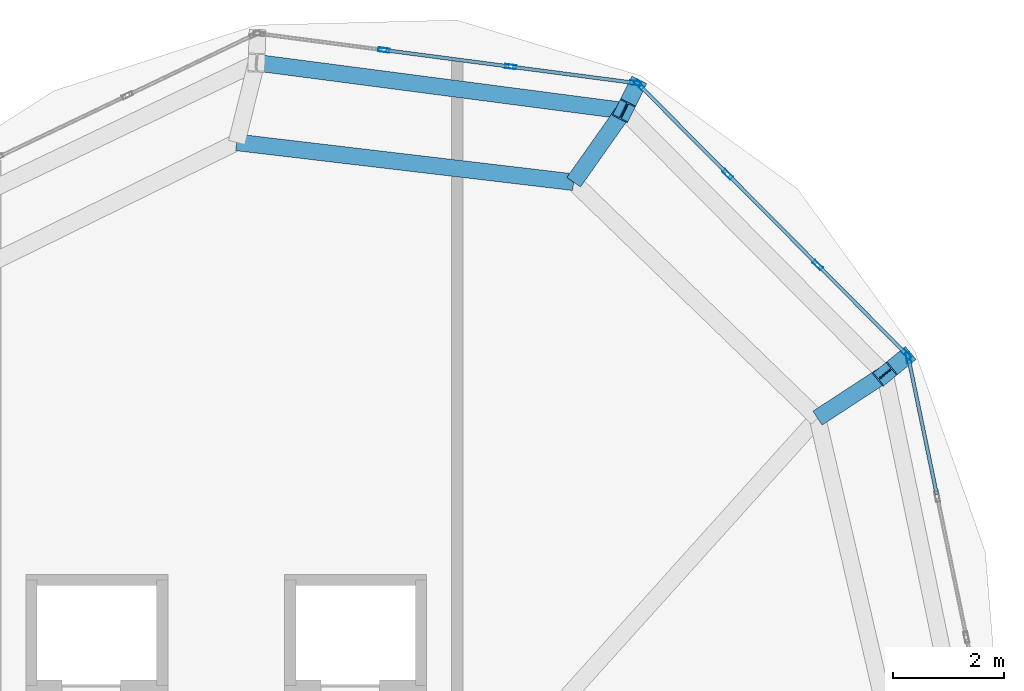
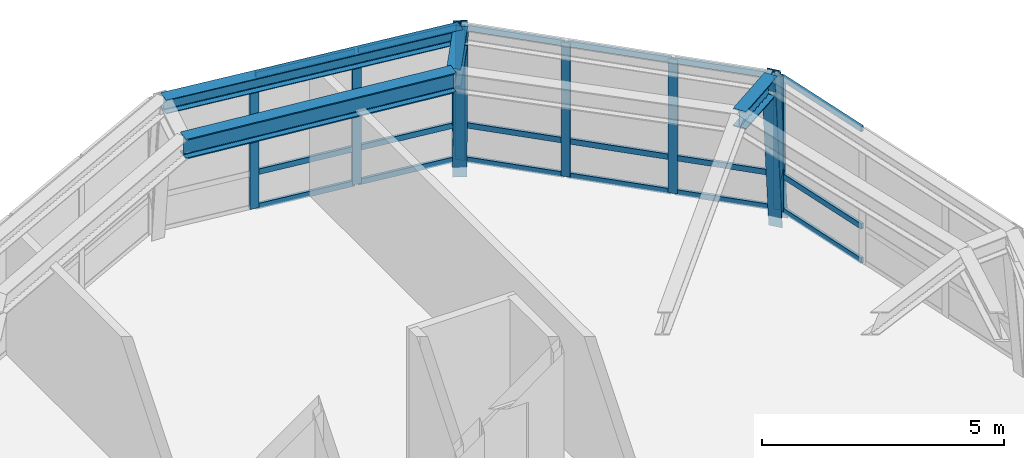
# One storey, part 8 of 11: 28 members, 4 beams, 3 elements without a shape of their own.
"""IFC4 building model written with IfcOpenShell, lengths in metres."""

from ifc_helpers import new_model, si_unit, direction, frame, origin, origin_2d, place, context, subcontext, project, spatial, hollow_rectangle, i_section, extrude, material, layer, layer_set, material_profile, profile_set, type_object, element, aggregate, save


model = new_model("IFC4")

# Units and contexts
model_context = context("Model", 3, precision=1e-05, world=origin(), true_north=direction((0.0, 1.0)))
body_context = subcontext(model_context, "Body", "Model", "MODEL_VIEW")
ifc_project = project(units=[si_unit("LENGTHUNIT", "METRE"), si_unit("AREAUNIT", "SQUARE_METRE"), si_unit("VOLUMEUNIT", "CUBIC_METRE"), si_unit("PLANEANGLEUNIT", "RADIAN"), si_unit("MASSUNIT", "GRAM", prefix="KILO"), si_unit("THERMODYNAMICTEMPERATUREUNIT", "KELVIN"), si_unit("POWERUNIT", "WATT")], contexts=[model_context])

# Site, building, storey
site_placement = place(None, origin())
site = spatial("IfcSite", under=ifc_project, at=site_placement, CompositionType="ELEMENT")
building_placement = place(site_placement, origin())
building = spatial("IfcBuilding", under=site, at=building_placement, Name="Ocrelia Relay Tower", CompositionType="ELEMENT")
storey_placement = place(building_placement, frame((0.0, 0.0, 292.0)))
storey = spatial("IfcBuildingStorey", under=building, at=storey_placement, Name="L73", CompositionType="ELEMENT", Elevation=292.0)

# Beams
ifc_material_1 = material(Name="Steel S355", Category="steel")
ifc_material_profile_1 = material_profile(ifc_material_1, i_section(OverallWidth=0.300048828125, OverallDepth=0.35009765625, WebThickness=0.010009765625, FlangeThickness=0.017578125, FilletRadius=0.027099609375, at=origin_2d()), Name="HEA 360")
ifc_profile_set_1 = profile_set([ifc_material_profile_1], Name="Steel S355")
beam_type_1 = type_object("IfcBeamType", Name="BM-HEA360", PredefinedType="SPANDREL", material=ifc_profile_set_1)
beam_1_placement = place(storey_placement, frame((41.14599609375, 40.42724609375, 3.574951171875), z_axis=(-0.991560907622, 0.129641684946, 0.0), x_axis=(-0.129641684946, -0.991560907622, 0.0)))
element("IfcBeam", 1, at=beam_1_placement, inside=storey, type_object=beam_type_1, Name="L73 Crown Faceted Ring Beam R01", PredefinedType="SPANDREL", context=body_context, shape_type="SweptSolid", body=[
    extrude(i_section(OverallWidth=0.300048828125, OverallDepth=0.35009765625, WebThickness=0.010009765625, FlangeThickness=0.017578125, FilletRadius=0.027099609375, at=origin_2d()), origin(), (0.0, 0.0, 1.0), 6.658935546875),
])
ifc_material_profile_2 = material_profile(ifc_material_1, i_section(OverallWidth=0.300048828125, OverallDepth=0.449951171875, WebThickness=0.013916015625, FlangeThickness=0.02587890625, FilletRadius=0.027099609375, at=origin_2d()), Name="HEB 450")
ifc_profile_set_2 = profile_set([ifc_material_profile_2], Name="Steel S355")
beam_type_2 = type_object("IfcBeamType", Name="BM-HEB450", PredefinedType="BEAM", material=ifc_profile_set_2)
beam_2_placement = place(storey_placement, frame((41.14599609375, 40.42724609375, 3.52490234375), z_axis=(-0.576213194719, -0.817299427524, 0.0), x_axis=(0.817299427524, -0.576213194719, 0.0)))
element("IfcBeam", 2, at=beam_2_placement, inside=storey, type_object=beam_type_2, Name="L73 Crown Step Radial Beam ST01", PredefinedType="BEAM", context=body_context, shape_type="SweptSolid", body=[
    extrude(i_section(OverallWidth=0.300048828125, OverallDepth=0.449951171875, WebThickness=0.013916015625, FlangeThickness=0.02587890625, FilletRadius=0.027099609375, at=origin_2d()), origin(), (0.0, 0.0, 1.0), 1.570556640625),
])
beam_3_placement = place(storey_placement, frame((45.833984375, 35.697998046875, 3.52490234375), z_axis=(-0.837046809322, -0.547131281325, 0.0), x_axis=(0.547131281325, -0.837046809322, 0.0)))
element("IfcBeam", 3, at=beam_3_placement, inside=storey, type_object=beam_type_2, Name="L73 Crown Step Radial Beam ST12", PredefinedType="BEAM", context=body_context, shape_type="SweptSolid", body=[
    extrude(i_section(OverallWidth=0.300048828125, OverallDepth=0.449951171875, WebThickness=0.013916015625, FlangeThickness=0.02587890625, FilletRadius=0.027099609375, at=origin_2d()), origin(), (0.0, 0.0, 1.0), 1.448486328125),
])
ifc_material_profile_3 = material_profile(ifc_material_1, i_section(OverallWidth=0.300048828125, OverallDepth=0.5, WebThickness=0.014404296875, FlangeThickness=0.028076171875, FilletRadius=0.027099609375, at=origin_2d()), Name="HEB 500")
ifc_profile_set_3 = profile_set([ifc_material_profile_3], Name="Steel S355")
beam_type_3 = type_object("IfcBeamType", Name="BM-HEB500", PredefinedType="BEAM", material=ifc_profile_set_3)
beam_4_placement = place(storey_placement, frame((40.240966796875, 39.1435546875, 3.5), z_axis=(-0.993075210761, 0.117480320783, 0.0), x_axis=(-0.117480320783, -0.993075210761, 0.0)))
element("IfcBeam", 4, at=beam_4_placement, inside=storey, type_object=beam_type_3, Name="L73 Crown Step Perimeter Ring Beam SR01", PredefinedType="BEAM", context=body_context, shape_type="SweptSolid", body=[
    extrude(i_section(OverallWidth=0.300048828125, OverallDepth=0.5, WebThickness=0.014404296875, FlangeThickness=0.028076171875, FilletRadius=0.027099609375, at=origin_2d()), origin(), (0.0, 0.0, 1.0), 6.09521484375),
])

# Curtain wall, members
ifc_material_2 = material(Name="Aluminium and solar-control low-E glass", Category="aluminium")
ifc_layer = layer(ifc_material_2, 0.179931640625, Name="Aluminium and solar-control low-E glass")
ifc_layer_set = layer_set([ifc_layer], Name="Aluminium and solar-control low-E glass")
curtain_wall_type = type_object("IfcCurtainWallType", Name="CW-SYS-CROWN-PT", PredefinedType="NOTDEFINED", material=ifc_layer_set)
curtain_wall_1_placement = place(storey_placement, origin())
curtain_wall_1 = element("IfcCurtainWall", 5, at=curtain_wall_1_placement, inside=storey, type_object=curtain_wall_type, Name="L73 Faceted Glass-Point Crown Curtain Wall 01", PredefinedType="NOTDEFINED")
ifc_material_3 = material(Name="Anodised bronze aluminium", Category="aluminium")
ifc_material_profile_4 = material_profile(ifc_material_3, hollow_rectangle(XDim=0.074951171875, YDim=0.199951171875, WallThickness=0.006103515625, at=origin_2d()), Name="CW-MUL-200x75")
ifc_profile_set_4 = profile_set([ifc_material_profile_4], Name="Anodised bronze aluminium")
member_type_1 = type_object("IfcMemberType", Name="CW-SYS-CROWN-PT-MUL", PredefinedType="MULLION", material=ifc_profile_set_4)
member_1_placement = place(storey_placement, frame((41.35302734375, 40.925048828125, 0.0), z_axis=(0.0, 0.0, 1.0), x_axis=(-0.13010788898, -0.991499842272, 0.0)))
member_1 = element("IfcMember", 6, at=member_1_placement, type_object=member_type_1, Name="CW-CR mullion 1", PredefinedType="MULLION", context=body_context, shape_type="SweptSolid", body=[
    extrude(hollow_rectangle(XDim=0.074951171875, YDim=0.199951171875, WallThickness=0.006103515625, at=origin_2d()), origin(), (0.0, 0.0, 1.0), 3.389892578125),
])
member_2_placement = place(storey_placement, frame((39.111083984375, 41.21923828125, 0.0), z_axis=(0.0, 0.0, 1.0), x_axis=(-0.13010788898, -0.991499842272, 0.0)))
member_2 = element("IfcMember", 7, at=member_2_placement, type_object=member_type_1, Name="CW-CR mullion 2", PredefinedType="MULLION", context=body_context, shape_type="SweptSolid", body=[
    extrude(hollow_rectangle(XDim=0.074951171875, YDim=0.199951171875, WallThickness=0.006103515625, at=origin_2d()), origin(), (0.0, 0.0, 1.0), 3.389892578125),
])
member_3_placement = place(storey_placement, frame((36.83203125, 41.518310546875, 0.0), z_axis=(0.0, 0.0, 1.0), x_axis=(-0.13010788898, -0.991499842272, 0.0)))
member_3 = element("IfcMember", 8, at=member_3_placement, type_object=member_type_1, Name="CW-CR mullion 3", PredefinedType="MULLION", context=body_context, shape_type="SweptSolid", body=[
    extrude(hollow_rectangle(XDim=0.074951171875, YDim=0.199951171875, WallThickness=0.006103515625, at=origin_2d()), origin(), (0.0, 0.0, 1.0), 3.389892578125),
])

# Curtain wall, member
curtain_wall_2_placement = place(storey_placement, origin())
curtain_wall_2 = element("IfcCurtainWall", 9, at=curtain_wall_2_placement, inside=storey, type_object=curtain_wall_type, Name="L73 Faceted Glass-Point Crown Curtain Wall 11", PredefinedType="NOTDEFINED")
member_4_placement = place(storey_placement, frame((46.254638671875, 35.98828125, 0.0), z_axis=(0.0, 0.0, 1.0), x_axis=(-0.979083868397, -0.203457068306, 0.0)))
member_4 = element("IfcMember", 10, at=member_4_placement, type_object=member_type_1, Name="CW-CR mullion 4", PredefinedType="MULLION", context=body_context, shape_type="SweptSolid", body=[
    extrude(hollow_rectangle(XDim=0.074951171875, YDim=0.199951171875, WallThickness=0.006103515625, at=origin_2d()), origin(), (0.0, 0.0, 1.0), 3.389892578125),
])

# Curtain wall, members
curtain_wall_3_placement = place(storey_placement, origin())
curtain_wall_3 = element("IfcCurtainWall", 11, at=curtain_wall_3_placement, inside=storey, type_object=curtain_wall_type, Name="L73 Faceted Glass-Point Crown Curtain Wall 12", PredefinedType="NOTDEFINED")
member_5_placement = place(storey_placement, frame((46.220703125, 36.051513671875, 0.0), z_axis=(0.0, 0.0, 1.0), x_axis=(-0.709871175003, -0.70433153763, 0.0)))
member_5 = element("IfcMember", 12, at=member_5_placement, type_object=member_type_1, Name="CW-CR mullion 1", PredefinedType="MULLION", context=body_context, shape_type="SweptSolid", body=[
    extrude(hollow_rectangle(XDim=0.074951171875, YDim=0.199951171875, WallThickness=0.006103515625, at=origin_2d()), origin(), (0.0, 0.0, 1.0), 3.389892578125),
])
member_6_placement = place(storey_placement, frame((44.628173828125, 37.65673828125, 0.0), z_axis=(0.0, 0.0, 1.0), x_axis=(-0.709871175003, -0.70433153763, 0.0)))
member_6 = element("IfcMember", 13, at=member_6_placement, type_object=member_type_1, Name="CW-CR mullion 2", PredefinedType="MULLION", context=body_context, shape_type="SweptSolid", body=[
    extrude(hollow_rectangle(XDim=0.074951171875, YDim=0.199951171875, WallThickness=0.006103515625, at=origin_2d()), origin(), (0.0, 0.0, 1.0), 3.389892578125),
])
member_7_placement = place(storey_placement, frame((43.00927734375, 39.288330078125, 0.0), z_axis=(0.0, 0.0, 1.0), x_axis=(-0.709871175003, -0.70433153763, 0.0)))
member_7 = element("IfcMember", 14, at=member_7_placement, type_object=member_type_1, Name="CW-CR mullion 3", PredefinedType="MULLION", context=body_context, shape_type="SweptSolid", body=[
    extrude(hollow_rectangle(XDim=0.074951171875, YDim=0.199951171875, WallThickness=0.006103515625, at=origin_2d()), origin(), (0.0, 0.0, 1.0), 3.389892578125),
])
member_8_placement = place(storey_placement, frame((41.41650390625, 40.8935546875, 0.0), z_axis=(0.0, 0.0, 1.0), x_axis=(-0.709871175003, -0.70433153763, 0.0)))
member_8 = element("IfcMember", 15, at=member_8_placement, type_object=member_type_1, Name="CW-CR mullion 4", PredefinedType="MULLION", context=body_context, shape_type="SweptSolid", body=[
    extrude(hollow_rectangle(XDim=0.074951171875, YDim=0.199951171875, WallThickness=0.006103515625, at=origin_2d()), origin(), (0.0, 0.0, 1.0), 3.389892578125),
])

# Member
ifc_material_profile_5 = material_profile(ifc_material_3, hollow_rectangle(XDim=0.06494140625, YDim=0.139892578125, WallThickness=0.0048828125, at=origin_2d()), Name="CW-TRN-140x65")
ifc_profile_set_5 = profile_set([ifc_material_profile_5], Name="Anodised bronze aluminium")
member_type_2 = type_object("IfcMemberType", Name="CW-SYS-CROWN-PT-TRN", PredefinedType="USERDEFINED", material=ifc_profile_set_5)
member_9_placement = place(storey_placement, frame((41.31591796875, 40.929931640625, 0.032470703125), z_axis=(-0.991501740078, 0.130093425745, 0.0), x_axis=(-0.130093425745, -0.991501740078, 0.0)))
member_9 = element("IfcMember", 16, at=member_9_placement, type_object=member_type_2, Name="CW-CR transom 1.1", ObjectType="TRANSOM", PredefinedType="USERDEFINED", context=body_context, shape_type="SweptSolid", body=[
    extrude(hollow_rectangle(XDim=0.06494140625, YDim=0.139892578125, WallThickness=0.0048828125, at=origin_2d()), origin(), (0.0, 0.0, 1.0), 2.186279296875),
])

member_10_placement = place(storey_placement, frame((41.31591796875, 40.929931640625, 0.89990234375), z_axis=(-0.991501740078, 0.130093425745, 0.0), x_axis=(-0.130093425745, -0.991501740078, 0.0)))
member_10 = element("IfcMember", 17, at=member_10_placement, type_object=member_type_2, Name="CW-CR transom 1.2", ObjectType="TRANSOM", PredefinedType="USERDEFINED", context=body_context, shape_type="SweptSolid", body=[
    extrude(hollow_rectangle(XDim=0.06494140625, YDim=0.139892578125, WallThickness=0.0048828125, at=origin_2d()), origin(), (0.0, 0.0, 1.0), 2.186279296875),
])

member_11_placement = place(storey_placement, frame((41.31591796875, 40.929931640625, 3.357421875), z_axis=(-0.991501740078, 0.130093425745, 0.0), x_axis=(-0.130093425745, -0.991501740078, 0.0)))
member_11 = element("IfcMember", 18, at=member_11_placement, type_object=member_type_2, Name="CW-CR transom 1.3", ObjectType="TRANSOM", PredefinedType="USERDEFINED", context=body_context, shape_type="SweptSolid", body=[
    extrude(hollow_rectangle(XDim=0.06494140625, YDim=0.139892578125, WallThickness=0.0048828125, at=origin_2d()), origin(), (0.0, 0.0, 1.0), 2.186279296875),
])

member_12_placement = place(storey_placement, frame((39.073974609375, 41.22412109375, 0.032470703125), z_axis=(-0.991500942594, 0.130099503596, 0.0), x_axis=(-0.130099503596, -0.991500942594, 0.0)))
member_12 = element("IfcMember", 19, at=member_12_placement, type_object=member_type_2, Name="CW-CR transom 2.1", ObjectType="TRANSOM", PredefinedType="USERDEFINED", context=body_context, shape_type="SweptSolid", body=[
    extrude(hollow_rectangle(XDim=0.06494140625, YDim=0.139892578125, WallThickness=0.0048828125, at=origin_2d()), origin(), (0.0, 0.0, 1.0), 2.2236328125),
])

member_13_placement = place(storey_placement, frame((39.073974609375, 41.22412109375, 0.89990234375), z_axis=(-0.991500942594, 0.130099503596, 0.0), x_axis=(-0.130099503596, -0.991500942594, 0.0)))
member_13 = element("IfcMember", 20, at=member_13_placement, type_object=member_type_2, Name="CW-CR transom 2.2", ObjectType="TRANSOM", PredefinedType="USERDEFINED", context=body_context, shape_type="SweptSolid", body=[
    extrude(hollow_rectangle(XDim=0.06494140625, YDim=0.139892578125, WallThickness=0.0048828125, at=origin_2d()), origin(), (0.0, 0.0, 1.0), 2.2236328125),
])

member_14_placement = place(storey_placement, frame((39.073974609375, 41.22412109375, 3.357421875), z_axis=(-0.991500942594, 0.130099503596, 0.0), x_axis=(-0.130099503596, -0.991500942594, 0.0)))
member_14 = element("IfcMember", 21, at=member_14_placement, type_object=member_type_2, Name="CW-CR transom 2.3", ObjectType="TRANSOM", PredefinedType="USERDEFINED", context=body_context, shape_type="SweptSolid", body=[
    extrude(hollow_rectangle(XDim=0.06494140625, YDim=0.139892578125, WallThickness=0.0048828125, at=origin_2d()), origin(), (0.0, 0.0, 1.0), 2.2236328125),
])

aggregate(curtain_wall_1, [member_1, member_2, member_3, member_9, member_10, member_11, member_12, member_13, member_14])

member_15_placement = place(storey_placement, frame((46.7646484375, 33.53466796875, 0.032470703125), z_axis=(-0.203432913308, 0.97908888758, 0.0), x_axis=(-0.97908888758, -0.203432913308, 0.0)))
member_15 = element("IfcMember", 22, at=member_15_placement, type_object=member_type_2, Name="CW-CR transom 3.1", ObjectType="TRANSOM", PredefinedType="USERDEFINED", context=body_context, shape_type="SweptSolid", body=[
    extrude(hollow_rectangle(XDim=0.06494140625, YDim=0.139892578125, WallThickness=0.0048828125, at=origin_2d()), origin(), (0.0, 0.0, 1.0), 2.468505859375),
])

member_16_placement = place(storey_placement, frame((46.7646484375, 33.53466796875, 0.89990234375), z_axis=(-0.203432913308, 0.97908888758, 0.0), x_axis=(-0.97908888758, -0.203432913308, 0.0)))
member_16 = element("IfcMember", 23, at=member_16_placement, type_object=member_type_2, Name="CW-CR transom 3.2", ObjectType="TRANSOM", PredefinedType="USERDEFINED", context=body_context, shape_type="SweptSolid", body=[
    extrude(hollow_rectangle(XDim=0.06494140625, YDim=0.139892578125, WallThickness=0.0048828125, at=origin_2d()), origin(), (0.0, 0.0, 1.0), 2.468505859375),
])

member_17_placement = place(storey_placement, frame((46.7646484375, 33.53466796875, 3.357421875), z_axis=(-0.203432913308, 0.97908888758, 0.0), x_axis=(-0.97908888758, -0.203432913308, 0.0)))
member_17 = element("IfcMember", 24, at=member_17_placement, type_object=member_type_2, Name="CW-CR transom 3.3", ObjectType="TRANSOM", PredefinedType="USERDEFINED", context=body_context, shape_type="SweptSolid", body=[
    extrude(hollow_rectangle(XDim=0.06494140625, YDim=0.139892578125, WallThickness=0.0048828125, at=origin_2d()), origin(), (0.0, 0.0, 1.0), 2.468505859375),
])

aggregate(curtain_wall_2, [member_4, member_15, member_16, member_17])

member_18_placement = place(storey_placement, frame((46.1943359375, 36.078125, 0.032470703125), z_axis=(-0.704309492996, 0.709893046928, 0.0), x_axis=(-0.709893046928, -0.704309492996, 0.0)))
member_18 = element("IfcMember", 25, at=member_18_placement, type_object=member_type_2, Name="CW-CR transom 1.1", ObjectType="TRANSOM", PredefinedType="USERDEFINED", context=body_context, shape_type="SweptSolid", body=[
    extrude(hollow_rectangle(XDim=0.06494140625, YDim=0.139892578125, WallThickness=0.0048828125, at=origin_2d()), origin(), (0.0, 0.0, 1.0), 2.186279296875),
])

member_19_placement = place(storey_placement, frame((46.1943359375, 36.078125, 0.89990234375), z_axis=(-0.704309492996, 0.709893046928, 0.0), x_axis=(-0.709893046928, -0.704309492996, 0.0)))
member_19 = element("IfcMember", 26, at=member_19_placement, type_object=member_type_2, Name="CW-CR transom 1.2", ObjectType="TRANSOM", PredefinedType="USERDEFINED", context=body_context, shape_type="SweptSolid", body=[
    extrude(hollow_rectangle(XDim=0.06494140625, YDim=0.139892578125, WallThickness=0.0048828125, at=origin_2d()), origin(), (0.0, 0.0, 1.0), 2.186279296875),
])

member_20_placement = place(storey_placement, frame((46.1943359375, 36.078125, 3.357421875), z_axis=(-0.704309492996, 0.709893046928, 0.0), x_axis=(-0.709893046928, -0.704309492996, 0.0)))
member_20 = element("IfcMember", 27, at=member_20_placement, type_object=member_type_2, Name="CW-CR transom 1.3", ObjectType="TRANSOM", PredefinedType="USERDEFINED", context=body_context, shape_type="SweptSolid", body=[
    extrude(hollow_rectangle(XDim=0.06494140625, YDim=0.139892578125, WallThickness=0.0048828125, at=origin_2d()), origin(), (0.0, 0.0, 1.0), 2.186279296875),
])

member_21_placement = place(storey_placement, frame((44.601806640625, 37.683349609375, 0.032470703125), z_axis=(-0.7043564942, 0.709846412316, 0.0), x_axis=(-0.709846412316, -0.7043564942, 0.0)))
member_21 = element("IfcMember", 28, at=member_21_placement, type_object=member_type_2, Name="CW-CR transom 2.1", ObjectType="TRANSOM", PredefinedType="USERDEFINED", context=body_context, shape_type="SweptSolid", body=[
    extrude(hollow_rectangle(XDim=0.06494140625, YDim=0.139892578125, WallThickness=0.0048828125, at=origin_2d()), origin(), (0.0, 0.0, 1.0), 2.2236328125),
])

member_22_placement = place(storey_placement, frame((44.601806640625, 37.683349609375, 0.89990234375), z_axis=(-0.7043564942, 0.709846412316, 0.0), x_axis=(-0.709846412316, -0.7043564942, 0.0)))
member_22 = element("IfcMember", 29, at=member_22_placement, type_object=member_type_2, Name="CW-CR transom 2.2", ObjectType="TRANSOM", PredefinedType="USERDEFINED", context=body_context, shape_type="SweptSolid", body=[
    extrude(hollow_rectangle(XDim=0.06494140625, YDim=0.139892578125, WallThickness=0.0048828125, at=origin_2d()), origin(), (0.0, 0.0, 1.0), 2.2236328125),
])

member_23_placement = place(storey_placement, frame((44.601806640625, 37.683349609375, 3.357421875), z_axis=(-0.7043564942, 0.709846412316, 0.0), x_axis=(-0.709846412316, -0.7043564942, 0.0)))
member_23 = element("IfcMember", 30, at=member_23_placement, type_object=member_type_2, Name="CW-CR transom 2.3", ObjectType="TRANSOM", PredefinedType="USERDEFINED", context=body_context, shape_type="SweptSolid", body=[
    extrude(hollow_rectangle(XDim=0.06494140625, YDim=0.139892578125, WallThickness=0.0048828125, at=origin_2d()), origin(), (0.0, 0.0, 1.0), 2.2236328125),
])

member_24_placement = place(storey_placement, frame((42.982666015625, 39.31494140625, 0.032470703125), z_axis=(-0.704253209924, 0.709948882887, 0.0), x_axis=(-0.709948882887, -0.704253209924, 0.0)))
member_24 = element("IfcMember", 31, at=member_24_placement, type_object=member_type_2, Name="CW-CR transom 3.1", ObjectType="TRANSOM", PredefinedType="USERDEFINED", context=body_context, shape_type="SweptSolid", body=[
    extrude(hollow_rectangle(XDim=0.06494140625, YDim=0.139892578125, WallThickness=0.0048828125, at=origin_2d()), origin(), (0.0, 0.0, 1.0), 2.18603515625),
])

member_25_placement = place(storey_placement, frame((42.982666015625, 39.31494140625, 0.89990234375), z_axis=(-0.704253209924, 0.709948882887, 0.0), x_axis=(-0.709948882887, -0.704253209924, 0.0)))
member_25 = element("IfcMember", 32, at=member_25_placement, type_object=member_type_2, Name="CW-CR transom 3.2", ObjectType="TRANSOM", PredefinedType="USERDEFINED", context=body_context, shape_type="SweptSolid", body=[
    extrude(hollow_rectangle(XDim=0.06494140625, YDim=0.139892578125, WallThickness=0.0048828125, at=origin_2d()), origin(), (0.0, 0.0, 1.0), 2.18603515625),
])

member_26_placement = place(storey_placement, frame((42.982666015625, 39.31494140625, 3.357421875), z_axis=(-0.704253209924, 0.709948882887, 0.0), x_axis=(-0.709948882887, -0.704253209924, 0.0)))
member_26 = element("IfcMember", 33, at=member_26_placement, type_object=member_type_2, Name="CW-CR transom 3.3", ObjectType="TRANSOM", PredefinedType="USERDEFINED", context=body_context, shape_type="SweptSolid", body=[
    extrude(hollow_rectangle(XDim=0.06494140625, YDim=0.139892578125, WallThickness=0.0048828125, at=origin_2d()), origin(), (0.0, 0.0, 1.0), 2.18603515625),
])

aggregate(curtain_wall_3, [member_5, member_6, member_7, member_8, member_18, member_19, member_20, member_21, member_22, member_23, member_24, member_25, member_26])

# Members
ifc_material_profile_6 = material_profile(ifc_material_1, i_section(OverallWidth=0.300048828125, OverallDepth=0.340087890625, WebThickness=0.011962890625, FlangeThickness=0.021484375, FilletRadius=0.027099609375, at=origin_2d()), Name="HEB 340")
ifc_profile_set_6 = profile_set([ifc_material_profile_6], Name="Steel S355")
member_type_3 = type_object("IfcMemberType", Name="MB-CROWN-RIB", PredefinedType="STRUT", material=ifc_profile_set_6)
member_27_placement = place(storey_placement, frame((41.345703125, 40.830322265625, -0.25), z_axis=(-0.049614007362, -0.100137807034, 0.993735814931), x_axis=(0.896049457176, -0.44395424347, 0.0)))
element("IfcMember", 34, at=member_27_placement, inside=storey, type_object=member_type_3, Name="L73 Crown Faceted Structural Strut Rib CR01", PredefinedType="STRUT", context=body_context, shape_type="SweptSolid", body=[
    extrude(i_section(OverallWidth=0.300048828125, OverallDepth=0.340087890625, WebThickness=0.011962890625, FlangeThickness=0.021484375, FilletRadius=0.027099609375, at=origin_2d()), origin(), (0.0, 0.0, 1.0), 4.025146484375),
])
member_28_placement = place(storey_placement, frame((46.163818359375, 35.969482421875, -0.25), z_axis=(-0.081992224779, -0.067487308626, 0.994345381771), x_axis=(0.635506912211, -0.772095178415, 0.0)))
element("IfcMember", 35, at=member_28_placement, inside=storey, type_object=member_type_3, Name="L73 Crown Faceted Structural Strut Rib CR12", PredefinedType="STRUT", context=body_context, shape_type="SweptSolid", body=[
    extrude(i_section(OverallWidth=0.300048828125, OverallDepth=0.340087890625, WebThickness=0.011962890625, FlangeThickness=0.021484375, FilletRadius=0.027099609375, at=origin_2d()), origin(), (0.0, 0.0, 1.0), 4.022705078125),
])

save(model, "model.ifc")
